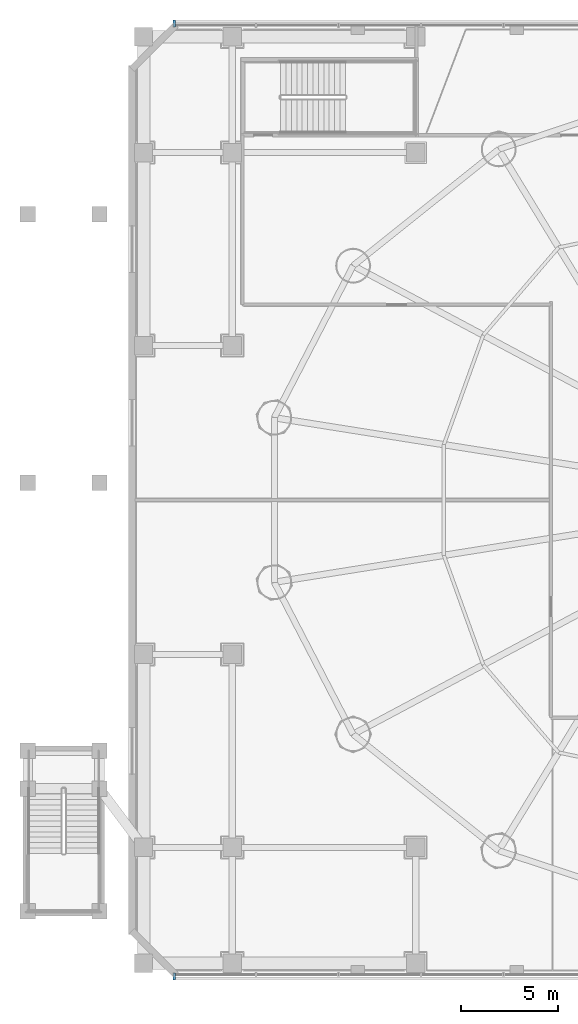
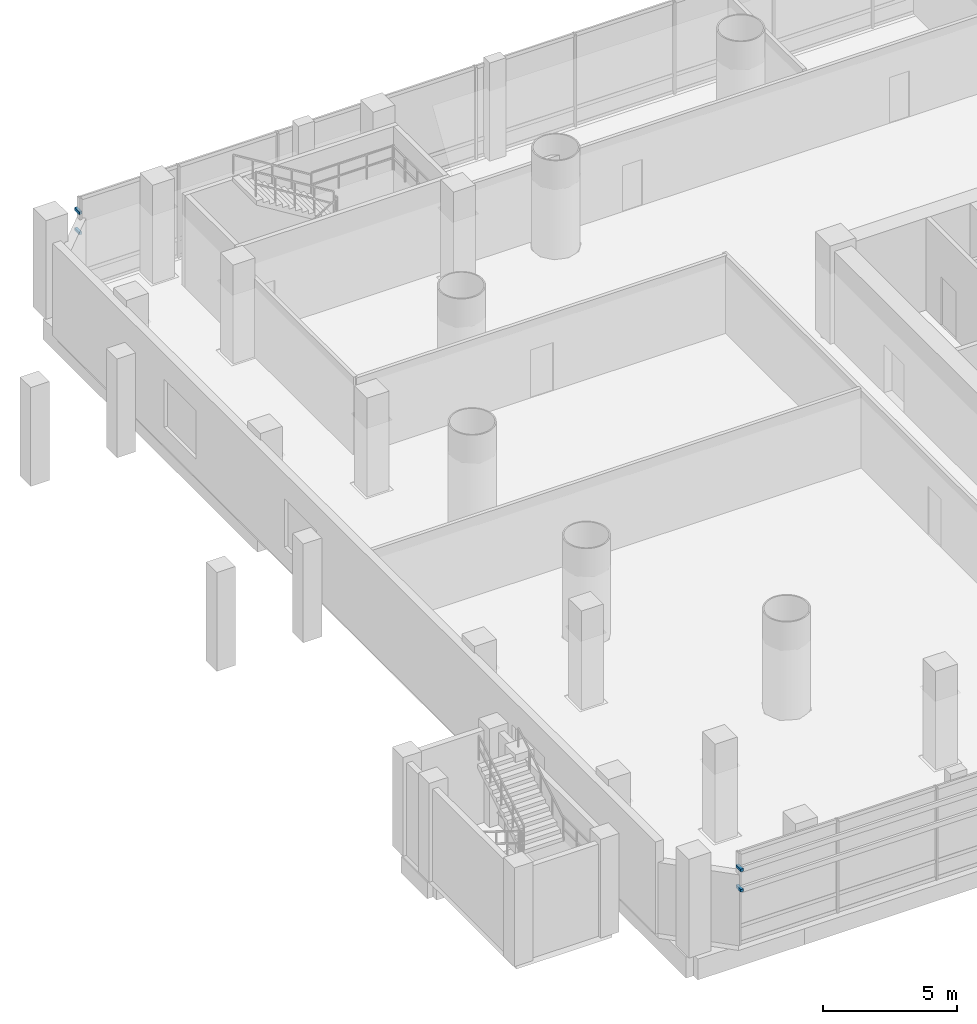
# One storey, part 25 of 36: 4 discrete accessories.
"""IFC4 building model written with IfcOpenShell, lengths in metres."""

from ifc_helpers import new_model, si_unit, direction, frame, origin, origin_2d, place, context, subcontext, project, spatial, rectangle, extrude, source, transform, mapped, material, layer, layer_set, type_object, element, save


model = new_model("IFC4")

# Units and contexts
model_context = context("Model", 3, precision=1e-05, world=origin(), true_north=direction((-0.2419218956, 0.970295726276)))
body_context = subcontext(model_context, "Body", "Model", "MODEL_VIEW")
ifc_project = project(units=[si_unit("LENGTHUNIT", "METRE"), si_unit("AREAUNIT", "SQUARE_METRE"), si_unit("VOLUMEUNIT", "CUBIC_METRE"), si_unit("PLANEANGLEUNIT", "RADIAN"), si_unit("MASSUNIT", "GRAM", prefix="KILO")], contexts=[model_context])

# Site, building, storey
site_placement = place(None, origin())
site = spatial("IfcSite", under=ifc_project, at=site_placement, CompositionType="ELEMENT")
building_placement = place(site_placement, origin())
building = spatial("IfcBuilding", under=site, at=building_placement, Name="Cobrevalo Terracotta Tower", CompositionType="ELEMENT")
storey_placement = place(building_placement, frame((0.0, 0.0, 9.89990234375)))
storey = spatial("IfcBuildingStorey", under=building, at=storey_placement, Name="L02", CompositionType="ELEMENT", Elevation=9.89990234375)

# Discrete accessories
ifc_material = material(Name="Brushed stainless steel", Category="steel")
ifc_layer = layer(ifc_material, 0.1201171875)
ifc_layer_set = layer_set([ifc_layer], Name="Brushed stainless steel")
discrete_accessory_type = type_object("IfcDiscreteAccessoryType", Name="Stainless Steel Facade & Canopy Support Bracket", PredefinedType="BRACKET", material=ifc_layer_set)
shared_shape = source(origin(), body_context, "Body", "SweptSolid", [
    extrude(rectangle(XDim=0.1201171875, YDim=0.360107421875, at=origin_2d()), origin(), (0.0, 0.0, 1.0), 0.1201171875),
])
for number, where, z_axis, x_axis, name in (
    (1, (5.989990234375, 2.110107421875, 2.5439453125), (0.0, 0.0, 1.0), (1.0, 0.0, 0.0), "CW-POD-L02-S stainless baguette support bracket 1-A"),
    (2, (5.989990234375, 2.110107421875, 3.468017578125), (0.0, 0.0, 1.0), (1.0, 0.0, 0.0), "CW-POD-L02-S stainless baguette support bracket 2-A"),
    (3, (5.989990234375, 51.489990234375, 2.5439453125), (0.0, 0.0, 1.0), (-1.0, 0.0, 0.0), "CW-POD-L02-N stainless baguette support bracket 1-B"),
    (4, (5.989990234375, 51.489990234375, 3.468017578125), (0.0, 0.0, 1.0), (-1.0, 0.0, 0.0), "CW-POD-L02-N stainless baguette support bracket 2-B"),
):
    element("IfcDiscreteAccessory", number, at=place(storey_placement, frame(where, z_axis=z_axis, x_axis=x_axis)), inside=storey, type_object=discrete_accessory_type, Name=name, PredefinedType="BRACKET", context=body_context, shape_type="MappedRepresentation", body=[
        mapped(shared_shape, transform((0.0, 0.0, 0.0), scale=1.0)),
    ])

save(model, "model.ifc")
